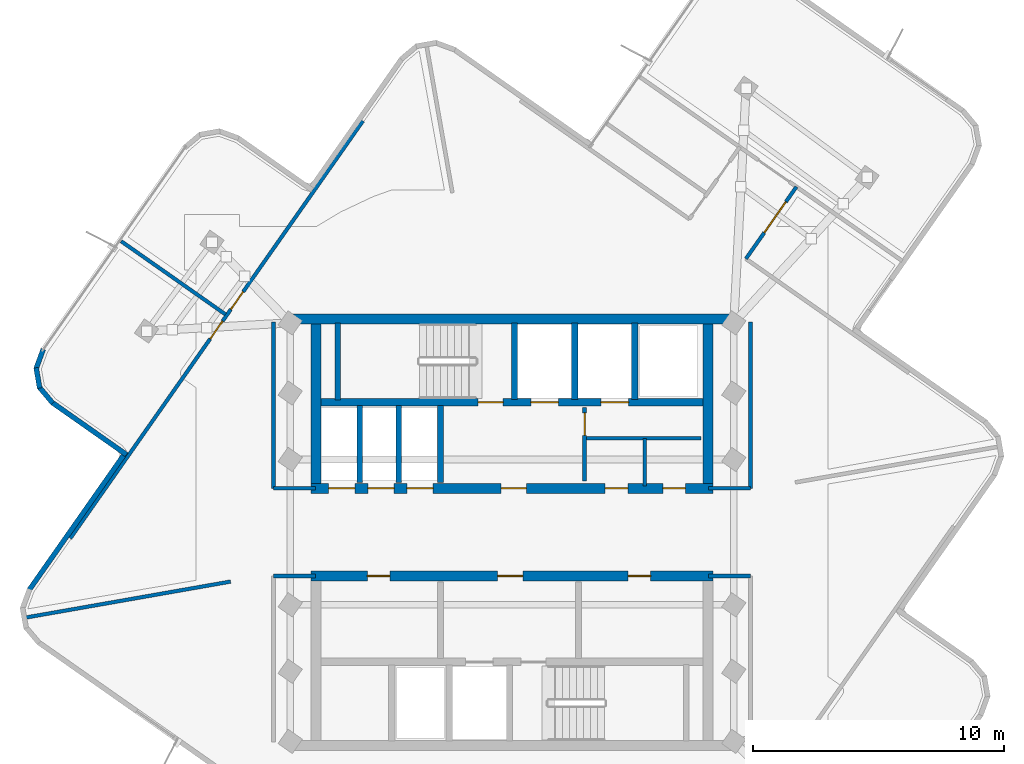
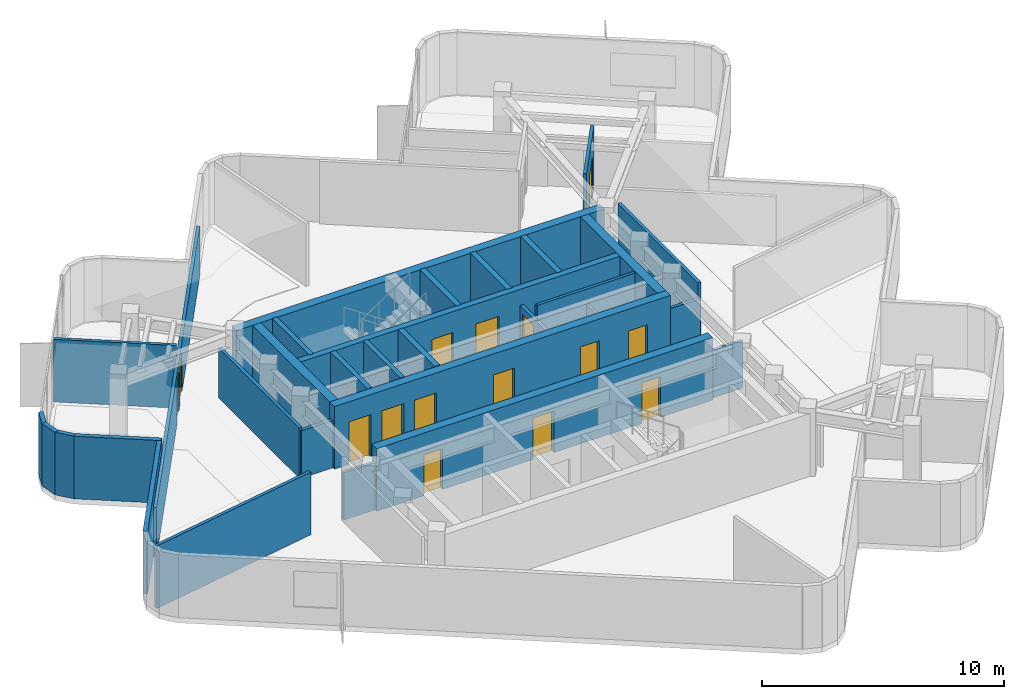
# One storey, part 6 of 9: 31 walls, 16 doors, 16 openings.
"""IFC4 building model written with IfcOpenShell, lengths in metres."""

from ifc_helpers import new_model, si_unit, direction, frame, frame_2d, origin, place, context, subcontext, project, spatial, rectangle, extrude, material, layer, layer_set, type_object, element, fill, save


model = new_model("IFC4")

# Units and contexts
model_context = context("Model", 3, precision=1e-05, world=origin(), true_north=direction((0.0, 1.0)))
body_context = subcontext(model_context, "Body", "Model", "MODEL_VIEW")
ifc_project = project(units=[si_unit("LENGTHUNIT", "METRE"), si_unit("AREAUNIT", "SQUARE_METRE"), si_unit("VOLUMEUNIT", "CUBIC_METRE"), si_unit("PLANEANGLEUNIT", "RADIAN"), si_unit("MASSUNIT", "GRAM", prefix="KILO")], contexts=[model_context])

# Site, building, storey
site_placement = place(None, origin())
site = spatial("IfcSite", under=ifc_project, at=site_placement, CompositionType="ELEMENT")
building_placement = place(site_placement, origin())
building = spatial("IfcBuilding", under=site, at=building_placement, Name="Solmarez Civic Tower", CompositionType="ELEMENT")
storey_placement = place(building_placement, frame((0.0, 0.0, 268.02001953125)))
storey = spatial("IfcBuildingStorey", under=building, at=storey_placement, Name="L72", CompositionType="ELEMENT", Elevation=268.02001953125)

# Wall
ifc_material_1 = material(Name="Concrete C50/60", Category="concrete")
ifc_layer_1 = layer(ifc_material_1, 0.39990234375)
ifc_layer_set_1 = layer_set([ifc_layer_1], Name="Concrete C50/60")
wall_type_1 = type_object("IfcWallType", Name="WALL-CORE-400", PredefinedType="SHEAR", material=ifc_layer_set_1)
wall_1_placement = place(storey_placement, frame((-8.780029296875, 8.510009765625, 0.0), z_axis=(0.0, 0.0, 1.0), x_axis=(1.0, 0.0, 0.0)))
element("IfcWall", 1, at=wall_1_placement, inside=storey, type_object=wall_type_1, Name="L72 Split-Core Structural Wall NCW-N-L72", PredefinedType="SHEAR", context=body_context, shape_type="SweptSolid", body=[
    extrude(rectangle(XDim=17.56005859375, YDim=0.39990234375, at=frame_2d((8.780029296875, 0.0))), origin(), (0.0, 0.0, 1.0), 3.159912109375),
])

# Wall, openings, doors
wall_2_placement = place(storey_placement, frame((8.02001953125, 1.75, 0.0), z_axis=(0.0, 0.0, 1.0), x_axis=(-1.0, 0.0, 0.0)))
wall_2 = element("IfcWall", 2, at=wall_2_placement, inside=storey, type_object=wall_type_1, Name="L72 Split-Core Structural Wall NCW-S-L72", PredefinedType="SHEAR", context=body_context, shape_type="SweptSolid", body=[
    extrude(rectangle(XDim=16.0400390625, YDim=0.39990234375, at=frame_2d((8.02001953125, 0.0))), origin(), (0.0, 0.0, 1.0), 3.159912109375),
])
opening_1_placement = place(wall_2_placement, frame((7.449951171875, 0.0, 0.0)))
opening_1 = element("IfcOpeningElement", 3, at=opening_1_placement, cuts=wall_2, Name="Opening D-04", PredefinedType="OPENING", context=body_context, shape_type="SweptSolid", body=[
    extrude(rectangle(XDim=1.0, YDim=2.10009765625, at=frame_2d((0.5, 1.050048828125))), frame((0.0, 0.2099609375, 0.0), z_axis=(0.0, -1.0, 0.0), x_axis=(1.0, 0.0, 0.0)), (0.0, 0.0, 1.0), 0.419921875),
])
opening_2_placement = place(wall_2_placement, frame((14.284912109375, 0.0, 0.0)))
opening_2 = element("IfcOpeningElement", 4, at=opening_2_placement, cuts=wall_2, Name="Opening LD-01", PredefinedType="OPENING", context=body_context, shape_type="SweptSolid", body=[
    extrude(rectangle(XDim=1.050048828125, YDim=2.14990234375, at=frame_2d((0.52490234375, 1.074951171875))), frame((0.0, 0.2099609375, 0.0), z_axis=(0.0, -1.0, 0.0), x_axis=(1.0, 0.0, 0.0)), (0.0, 0.0, 1.0), 0.419921875),
])
opening_3_placement = place(wall_2_placement, frame((12.72509765625, 0.0, 0.0)))
opening_3 = element("IfcOpeningElement", 5, at=opening_3_placement, cuts=wall_2, Name="Opening LD-01", PredefinedType="OPENING", context=body_context, shape_type="SweptSolid", body=[
    extrude(rectangle(XDim=1.050048828125, YDim=2.14990234375, at=frame_2d((0.52490234375, 1.074951171875))), frame((0.0, 0.2099609375, 0.0), z_axis=(0.0, -1.0, 0.0), x_axis=(1.0, 0.0, 0.0)), (0.0, 0.0, 1.0), 0.419921875),
])
opening_4_placement = place(wall_2_placement, frame((11.1650390625, 0.0, 0.0)))
opening_4 = element("IfcOpeningElement", 6, at=opening_4_placement, cuts=wall_2, Name="Opening LD-01", PredefinedType="OPENING", context=body_context, shape_type="SweptSolid", body=[
    extrude(rectangle(XDim=1.050048828125, YDim=2.14990234375, at=frame_2d((0.52490234375, 1.074951171875))), frame((0.0, 0.2099609375, 0.0), z_axis=(0.0, -1.0, 0.0), x_axis=(1.0, 0.0, 0.0)), (0.0, 0.0, 1.0), 0.419921875),
])
opening_5_placement = place(wall_2_placement, frame((3.39990234375, 0.0, 0.0)))
opening_5 = element("IfcOpeningElement", 7, at=opening_5_placement, cuts=wall_2, Name="Opening D-09", PredefinedType="OPENING", context=body_context, shape_type="SweptSolid", body=[
    extrude(rectangle(XDim=0.89990234375, YDim=2.06005859375, at=frame_2d((0.449951171875, 1.030029296875))), frame((0.0, 0.2099609375, 0.0), z_axis=(0.0, -1.0, 0.0), x_axis=(1.0, 0.0, 0.0)), (0.0, 0.0, 1.0), 0.419921875),
])
opening_6_placement = place(wall_2_placement, frame((1.10009765625, 0.0, 0.0)))
opening_6 = element("IfcOpeningElement", 8, at=opening_6_placement, cuts=wall_2, Name="Opening D-09", PredefinedType="OPENING", context=body_context, shape_type="SweptSolid", body=[
    extrude(rectangle(XDim=0.89990234375, YDim=2.06005859375, at=frame_2d((0.449951171875, 1.030029296875))), frame((0.0, 0.2099609375, 0.0), z_axis=(0.0, -1.0, 0.0), x_axis=(1.0, 0.0, 0.0)), (0.0, 0.0, 1.0), 0.419921875),
])
ifc_material_2 = material(Name="Steel-Faced Acoustic Fire Door", Category="steel")
door_type_1 = type_object("IfcDoorType", Name="DOOR-FD60-1000", OperationType="NOTDEFINED", PredefinedType="DOOR", material=ifc_material_2)
door_1_placement = place(opening_1_placement, origin())
door_1 = element("IfcDoor", 9, at=door_1_placement, inside=storey, type_object=door_type_1, Name="L72 North Firefighting Lobby Door", OperationType="SINGLE_SWING_LEFT", OverallHeight=2.10009765625, OverallWidth=1.0, PredefinedType="DOOR", context=body_context, shape_type="SweptSolid", body=[
    extrude(rectangle(XDim=1.0, YDim=2.10009765625, at=frame_2d((0.5, 1.050048828125))), frame((0.0, 0.02490234375, 0.0), z_axis=(0.0, -1.0, 0.0), x_axis=(1.0, 0.0, 0.0)), (0.0, 0.0, 1.0), 0.050048828125),
])
fill(opening_1, door_1)
ifc_material_3 = material(Name="Fire-Rated Service Core Door", Category="wood")
door_type_2 = type_object("IfcDoorType", Name="DOOR-FD60-900", OperationType="NOTDEFINED", PredefinedType="DOOR", material=ifc_material_3)
door_2_placement = place(opening_5_placement, origin())
door_2 = element("IfcDoor", 10, at=door_2_placement, inside=storey, type_object=door_type_2, Name="L72 Core WC Door", OperationType="SINGLE_SWING_LEFT", OverallHeight=2.06005859375, OverallWidth=0.89990234375, PredefinedType="DOOR", context=body_context, shape_type="SweptSolid", body=[
    extrude(rectangle(XDim=0.89990234375, YDim=2.06005859375, at=frame_2d((0.449951171875, 1.030029296875))), frame((0.0, 0.02490234375, 0.0), z_axis=(0.0, -1.0, 0.0), x_axis=(1.0, 0.0, 0.0)), (0.0, 0.0, 1.0), 0.050048828125),
])
fill(opening_5, door_2)
door_3_placement = place(opening_6_placement, origin())
door_3 = element("IfcDoor", 11, at=door_3_placement, inside=storey, type_object=door_type_2, Name="L72 Core CL Door", OperationType="SINGLE_SWING_RIGHT", OverallHeight=2.06005859375, OverallWidth=0.89990234375, PredefinedType="DOOR", context=body_context, shape_type="SweptSolid", body=[
    extrude(rectangle(XDim=0.89990234375, YDim=2.06005859375, at=frame_2d((0.449951171875, 1.030029296875))), frame((0.0, 0.02490234375, 0.0), z_axis=(0.0, -1.0, 0.0), x_axis=(1.0, 0.0, 0.0)), (0.0, 0.0, 1.0), 0.050048828125),
])
fill(opening_6, door_3)
ifc_material_4 = material(Name="Bronze Passenger Lift Landing Sliding Door", Category="aluminium")
door_type_3 = type_object("IfcDoorType", Name="DOOR-LD-PAX-1050", OperationType="DOUBLE_DOOR_SLIDING", PredefinedType="DOOR", material=ifc_material_4)
door_4_placement = place(opening_2_placement, origin())
door_4 = element("IfcDoor", 12, at=door_4_placement, inside=storey, type_object=door_type_3, Name="L72 High-Rise Lift Landing Door PL-H1", OperationType="DOUBLE_DOOR_SLIDING", OverallHeight=2.14990234375, OverallWidth=1.050048828125, PredefinedType="DOOR", context=body_context, shape_type="SweptSolid", body=[
    extrude(rectangle(XDim=1.050048828125, YDim=2.14990234375, at=frame_2d((0.52490234375, 1.074951171875))), frame((0.0, 0.02490234375, 0.0), z_axis=(0.0, -1.0, 0.0), x_axis=(1.0, 0.0, 0.0)), (0.0, 0.0, 1.0), 0.050048828125),
])
fill(opening_2, door_4)
door_5_placement = place(opening_3_placement, origin())
door_5 = element("IfcDoor", 13, at=door_5_placement, inside=storey, type_object=door_type_3, Name="L72 High-Rise Lift Landing Door PL-H2", OperationType="DOUBLE_DOOR_SLIDING", OverallHeight=2.14990234375, OverallWidth=1.050048828125, PredefinedType="DOOR", context=body_context, shape_type="SweptSolid", body=[
    extrude(rectangle(XDim=1.050048828125, YDim=2.14990234375, at=frame_2d((0.52490234375, 1.074951171875))), frame((0.0, 0.02490234375, 0.0), z_axis=(0.0, -1.0, 0.0), x_axis=(1.0, 0.0, 0.0)), (0.0, 0.0, 1.0), 0.050048828125),
])
fill(opening_3, door_5)
door_6_placement = place(opening_4_placement, origin())
door_6 = element("IfcDoor", 14, at=door_6_placement, inside=storey, type_object=door_type_3, Name="L72 High-Rise Lift Landing Door PL-H3", OperationType="DOUBLE_DOOR_SLIDING", OverallHeight=2.14990234375, OverallWidth=1.050048828125, PredefinedType="DOOR", context=body_context, shape_type="SweptSolid", body=[
    extrude(rectangle(XDim=1.050048828125, YDim=2.14990234375, at=frame_2d((0.52490234375, 1.074951171875))), frame((0.0, 0.02490234375, 0.0), z_axis=(0.0, -1.0, 0.0), x_axis=(1.0, 0.0, 0.0)), (0.0, 0.0, 1.0), 0.050048828125),
])
fill(opening_4, door_6)

# Walls
for number, where, z_axis, x_axis, name in (
    (15, (-7.820068359375, 1.949951171875, 0.0), (0.0, 0.0, 1.0), (0.0, 1.0, 0.0), "L72 Split-Core Structural Wall NCW-W-L72"),
    (16, (7.820068359375, 8.31005859375, 0.0), (0.0, 0.0, 1.0), (0.0, -1.0, 0.0), "L72 Split-Core Structural Wall NCW-E-L72"),
):
    element("IfcWall", number, at=place(storey_placement, frame(where, z_axis=z_axis, x_axis=x_axis)), inside=storey, type_object=wall_type_1, Name=name, PredefinedType="SHEAR", context=body_context, shape_type="SweptSolid", body=[
        extrude(rectangle(XDim=6.360107421875, YDim=0.39990234375, at=frame_2d((3.18017578125, 0.0))), origin(), (0.0, 0.0, 1.0), 3.159912109375),
    ])

# Wall, openings, doors
wall_3_placement = place(storey_placement, frame((-8.02001953125, -1.75, 0.0), z_axis=(0.0, 0.0, 1.0), x_axis=(1.0, 0.0, 0.0)))
wall_3 = element("IfcWall", 17, at=wall_3_placement, inside=storey, type_object=wall_type_1, Name="L72 Split-Core Structural Wall SCW-N-L72", PredefinedType="SHEAR", context=body_context, shape_type="SweptSolid", body=[
    extrude(rectangle(XDim=16.0400390625, YDim=0.39990234375, at=frame_2d((8.02001953125, 0.0))), origin(), (0.0, 0.0, 1.0), 3.159912109375),
])
opening_7_placement = place(wall_3_placement, frame((7.449951171875, 0.0, 0.0)))
opening_7 = element("IfcOpeningElement", 18, at=opening_7_placement, cuts=wall_3, Name="Opening D-04", PredefinedType="OPENING", context=body_context, shape_type="SweptSolid", body=[
    extrude(rectangle(XDim=1.0, YDim=2.10009765625, at=frame_2d((0.5, 1.050048828125))), frame((0.0, 0.2099609375, 0.0), z_axis=(0.0, -1.0, 0.0), x_axis=(1.0, 0.0, 0.0)), (0.0, 0.0, 1.0), 0.419921875),
])
opening_8_placement = place(wall_3_placement, frame((12.64990234375, 0.0, 0.0)))
opening_8 = element("IfcOpeningElement", 19, at=opening_8_placement, cuts=wall_3, Name="Opening D-09", PredefinedType="OPENING", context=body_context, shape_type="SweptSolid", body=[
    extrude(rectangle(XDim=0.89990234375, YDim=2.06005859375, at=frame_2d((0.449951171875, 1.030029296875))), frame((0.0, 0.2099609375, 0.0), z_axis=(0.0, -1.0, 0.0), x_axis=(1.0, 0.0, 0.0)), (0.0, 0.0, 1.0), 0.419921875),
])
opening_9_placement = place(wall_3_placement, frame((2.25, 0.0, 0.0)))
opening_9 = element("IfcOpeningElement", 20, at=opening_9_placement, cuts=wall_3, Name="Opening D-09", PredefinedType="OPENING", context=body_context, shape_type="SweptSolid", body=[
    extrude(rectangle(XDim=0.89990234375, YDim=2.06005859375, at=frame_2d((0.449951171875, 1.030029296875))), frame((0.0, 0.2099609375, 0.0), z_axis=(0.0, -1.0, 0.0), x_axis=(1.0, 0.0, 0.0)), (0.0, 0.0, 1.0), 0.419921875),
])
door_7_placement = place(opening_7_placement, origin())
door_7 = element("IfcDoor", 21, at=door_7_placement, inside=storey, type_object=door_type_1, Name="L72 South Firefighting Lobby Door", OperationType="SINGLE_SWING_RIGHT", OverallHeight=2.10009765625, OverallWidth=1.0, PredefinedType="DOOR", context=body_context, shape_type="SweptSolid", body=[
    extrude(rectangle(XDim=1.0, YDim=2.10009765625, at=frame_2d((0.5, 1.050048828125))), frame((0.0, 0.02490234375, 0.0), z_axis=(0.0, -1.0, 0.0), x_axis=(1.0, 0.0, 0.0)), (0.0, 0.0, 1.0), 0.050048828125),
])
fill(opening_7, door_7)
door_8_placement = place(opening_8_placement, origin())
door_8 = element("IfcDoor", 22, at=door_8_placement, inside=storey, type_object=door_type_2, Name="L72 Freed Hoistway Mailroom Door", OperationType="SINGLE_SWING_LEFT", OverallHeight=2.06005859375, OverallWidth=0.89990234375, PredefinedType="DOOR", context=body_context, shape_type="SweptSolid", body=[
    extrude(rectangle(XDim=0.89990234375, YDim=2.06005859375, at=frame_2d((0.449951171875, 1.030029296875))), frame((0.0, 0.02490234375, 0.0), z_axis=(0.0, -1.0, 0.0), x_axis=(1.0, 0.0, 0.0)), (0.0, 0.0, 1.0), 0.050048828125),
])
fill(opening_8, door_8)
door_9_placement = place(opening_9_placement, origin())
door_9 = element("IfcDoor", 23, at=door_9_placement, inside=storey, type_object=door_type_2, Name="L72 Delegation Tea Pantry Door", OperationType="SINGLE_SWING_RIGHT", OverallHeight=2.06005859375, OverallWidth=0.89990234375, PredefinedType="DOOR", context=body_context, shape_type="SweptSolid", body=[
    extrude(rectangle(XDim=0.89990234375, YDim=2.06005859375, at=frame_2d((0.449951171875, 1.030029296875))), frame((0.0, 0.02490234375, 0.0), z_axis=(0.0, -1.0, 0.0), x_axis=(1.0, 0.0, 0.0)), (0.0, 0.0, 1.0), 0.050048828125),
])
fill(opening_9, door_9)

# Walls
ifc_material_5 = material(Name="Precast concrete C40/50", Category="concrete")
ifc_layer_2 = layer(ifc_material_5, 0.199951171875)
ifc_layer_set_2 = layer_set([ifc_layer_2], Name="Precast concrete C40/50")
wall_type_2 = type_object("IfcWallType", Name="WALL-EXT-200", PredefinedType="SOLIDWALL", material=ifc_layer_set_2)
wall_4_placement = place(storey_placement, frame((-19.27294921875, -2.31591796875, 0.0), z_axis=(0.0, 0.0, 1.0), x_axis=(0.574227764949, 0.818695592978, 0.0)))
element("IfcWall", 24, at=wall_4_placement, inside=storey, type_object=wall_type_2, Name="L72 Exterior Precast Wall 10", PredefinedType="SOLIDWALL", context=body_context, shape_type="SweptSolid", body=[
    extrude(rectangle(XDim=6.740966796875, YDim=0.199951171875, at=frame_2d((3.37060546875, 0.0))), origin(), (0.0, 0.0, 1.0), 3.159912109375),
])
wall_5_placement = place(storey_placement, frame((-15.383056640625, 3.092041015625, 0.0), z_axis=(0.0, 0.0, 1.0), x_axis=(-0.818664531158, 0.574272048269, 0.0)))
element("IfcWall", 25, at=wall_5_placement, inside=storey, type_object=wall_type_2, Name="L72 Exterior Precast Wall 13", PredefinedType="SOLIDWALL", context=body_context, shape_type="SweptSolid", body=[
    extrude(rectangle(XDim=3.641357421875, YDim=0.199951171875, at=frame_2d((1.82080078125, 0.0))), origin(), (0.0, 0.0, 1.0), 3.159912109375),
])
wall_6_placement = place(storey_placement, frame((-18.327880859375, 5.14990234375, 0.0), z_axis=(0.0, 0.0, 1.0), x_axis=(-0.642303159159, 0.766450684477, 0.0)))
element("IfcWall", 26, at=wall_6_placement, inside=storey, type_object=wall_type_2, Name="L72 Exterior Precast Wall 14", PredefinedType="SOLIDWALL", context=body_context, shape_type="SweptSolid", body=[
    extrude(rectangle(XDim=0.837646484375, YDim=0.199951171875, at=frame_2d((0.4189453125, 0.0))), origin(), (0.0, 0.0, 1.0), 3.159912109375),
])
wall_7_placement = place(storey_placement, frame((-18.845947265625, 5.748046875, 0.0), z_axis=(0.0, 0.0, 1.0), x_axis=(-0.172165058078, 0.985068115806, 0.0)))
element("IfcWall", 27, at=wall_7_placement, inside=storey, type_object=wall_type_2, Name="L72 Exterior Precast Wall 15", PredefinedType="SOLIDWALL", context=body_context, shape_type="SweptSolid", body=[
    extrude(rectangle(XDim=0.8251953125, YDim=0.199951171875, at=frame_2d((0.41259765625, 0.0))), origin(), (0.0, 0.0, 1.0), 3.159912109375),
])
wall_8_placement = place(storey_placement, frame((-18.992919921875, 6.512939453125, 0.0), z_axis=(0.0, 0.0, 1.0), x_axis=(0.343449935769, 0.93917098636, 0.0)))
element("IfcWall", 28, at=wall_8_placement, inside=storey, type_object=wall_type_2, Name="L72 Exterior Precast Wall 16", PredefinedType="SOLIDWALL", context=body_context, shape_type="SweptSolid", body=[
    extrude(rectangle(XDim=0.838134765625, YDim=0.199951171875, at=frame_2d((0.4189453125, 0.0))), origin(), (0.0, 0.0, 1.0), 3.159912109375),
])
ifc_material_6 = material(Name="Gypsum Board Acoustic Steel-Stud Partition", Category="steel")
ifc_layer_3 = layer(ifc_material_6, 0.14990234375)
ifc_layer_set_3 = layer_set([ifc_layer_3], Name="Gypsum Board Acoustic Steel-Stud Partition")
wall_type_3 = type_object("IfcWallType", Name="WALL-INT-FIRE-150", PredefinedType="PARTITIONING", material=ifc_layer_set_3)
wall_9_placement = place(storey_placement, frame((-9.52001953125, 1.75, 0.0), z_axis=(0.0, 0.0, 1.0), x_axis=(0.0, 1.0, 0.0)))
element("IfcWall", 29, at=wall_9_placement, inside=storey, type_object=wall_type_3, Name="L72 Interior Partition CHW-L72-WN1", PredefinedType="PARTITIONING", context=body_context, shape_type="SweptSolid", body=[
    extrude(rectangle(XDim=6.6298828125, YDim=0.14990234375, at=frame_2d((3.31494140625, 0.0))), origin(), (0.0, 0.0, 1.0), 2.530029296875),
])
for number, where, z_axis, x_axis, name in (
    (30, (-7.85009765625, 1.75, 0.0), (0.0, 0.0, 1.0), (-1.0, 0.0, 0.0), "L72 Interior Partition CHW-L72-WN3"),
    (31, (-7.85009765625, -1.75, 0.0), (0.0, 0.0, 1.0), (-1.0, 0.0, 0.0), "L72 Interior Partition CHW-L72-WS3"),
):
    element("IfcWall", number, at=place(storey_placement, frame(where, z_axis=z_axis, x_axis=x_axis)), inside=storey, type_object=wall_type_3, Name=name, PredefinedType="PARTITIONING", context=body_context, shape_type="SweptSolid", body=[
        extrude(rectangle(XDim=1.669921875, YDim=0.14990234375, at=frame_2d((0.8349609375, 0.0))), origin(), (0.0, 0.0, 1.0), 2.389892578125),
    ])
wall_10_placement = place(storey_placement, frame((9.52001953125, 1.75, 0.0), z_axis=(0.0, 0.0, 1.0), x_axis=(0.0, 1.0, 0.0)))
element("IfcWall", 32, at=wall_10_placement, inside=storey, type_object=wall_type_3, Name="L72 Interior Partition CHW-L72-EN1", PredefinedType="PARTITIONING", context=body_context, shape_type="SweptSolid", body=[
    extrude(rectangle(XDim=6.6298828125, YDim=0.14990234375, at=frame_2d((3.31494140625, 0.0))), origin(), (0.0, 0.0, 1.0), 3.159912109375),
])
for number, where, z_axis, x_axis, name in (
    (33, (7.85009765625, 1.75, 0.0), (0.0, 0.0, 1.0), (1.0, 0.0, 0.0), "L72 Interior Partition CHW-L72-EN3"),
    (34, (7.85009765625, -1.75, 0.0), (0.0, 0.0, 1.0), (1.0, 0.0, 0.0), "L72 Interior Partition CHW-L72-ES3"),
):
    element("IfcWall", number, at=place(storey_placement, frame(where, z_axis=z_axis, x_axis=x_axis)), inside=storey, type_object=wall_type_3, Name=name, PredefinedType="PARTITIONING", context=body_context, shape_type="SweptSolid", body=[
        extrude(rectangle(XDim=1.669921875, YDim=0.14990234375, at=frame_2d((0.8349609375, 0.0))), origin(), (0.0, 0.0, 1.0), 2.389892578125),
    ])
ifc_layer_4 = layer(ifc_material_6, 0.14501953125)
ifc_layer_set_4 = layer_set([ifc_layer_4], Name="Gypsum Board Acoustic Steel-Stud Partition")
wall_type_4 = type_object("IfcWallType", Name="WALL-INT-PART-150", PredefinedType="PARTITIONING", material=ifc_layer_set_4)
wall_11_placement = place(storey_placement, frame((-11.22802734375, -1.971923828125, 0.0), z_axis=(0.0, 0.0, 1.0), x_axis=(-0.984921322849, -0.17300285488, 0.0)))
element("IfcWall", 35, at=wall_11_placement, inside=storey, type_object=wall_type_4, Name="L72 Interior Partition PT-L72-QDIV-2", PredefinedType="PARTITIONING", context=body_context, shape_type="SweptSolid", body=[
    extrude(rectangle(XDim=8.294921875, YDim=0.14501953125, at=frame_2d((4.1474609375, 0.0))), origin(), (0.0, 0.0, 1.0), 3.159912109375),
])

# Wall, opening, door
wall_12_placement = place(storey_placement, frame((9.333984375, 10.907958984375, 0.0), z_axis=(0.0, 0.0, 1.0), x_axis=(0.574414301793, 0.818564725539, 0.0)))
wall_12 = element("IfcWall", 36, at=wall_12_placement, inside=storey, type_object=wall_type_4, Name="L72 Interior Partition PT-L72-E-SR", PredefinedType="PARTITIONING", context=body_context, shape_type="SweptSolid", body=[
    extrude(rectangle(XDim=3.509765625, YDim=0.14501953125, at=frame_2d((1.7548828125, 0.0))), origin(), (0.0, 0.0, 1.0), 3.159912109375),
])
opening_10_placement = place(wall_12_placement, frame((1.27490234375, 0.0, 0.0)))
opening_10 = element("IfcOpeningElement", 37, at=opening_10_placement, cuts=wall_12, Name="Opening D-16", PredefinedType="OPENING", context=body_context, shape_type="SweptSolid", body=[
    extrude(rectangle(XDim=1.5, YDim=2.1201171875, at=frame_2d((0.75, 1.06005859375))), frame((0.0, 0.08251953125, 0.0), z_axis=(0.0, -1.0, 0.0), x_axis=(1.0, 0.0, 0.0)), (0.0, 0.0, 1.0), 0.1650390625),
])
ifc_material_7 = material(Name="Diplomatic Protocol Reception Door", Category="wood")
door_type_4 = type_object("IfcDoorType", Name="DOOR-INT-1500", OperationType="NOTDEFINED", PredefinedType="DOOR", material=ifc_material_7)
door_10_placement = place(opening_10_placement, origin())
door_10 = element("IfcDoor", 38, at=door_10_placement, inside=storey, type_object=door_type_4, Name="L72 Protocol Reception Room Third East Door", OperationType="SINGLE_SWING_RIGHT", OverallHeight=2.1201171875, OverallWidth=1.5, PredefinedType="DOOR", context=body_context, shape_type="SweptSolid", body=[
    extrude(rectangle(XDim=1.5, YDim=2.1201171875, at=frame_2d((0.75, 1.06005859375))), frame((0.0, 0.02490234375, 0.0), z_axis=(0.0, -1.0, 0.0), x_axis=(1.0, 0.0, 0.0)), (0.0, 0.0, 1.0), 0.050048828125),
])
fill(opening_10, door_10)

# Wall
wall_13_placement = place(storey_placement, frame((-11.43310546875, 8.68896484375, 0.0), z_axis=(0.0, 0.0, 1.0), x_axis=(-0.81868341552, 0.574245126363, 0.0)))
element("IfcWall", 39, at=wall_13_placement, inside=storey, type_object=wall_type_4, Name="L72 Interior Partition PT-L72-N-ALM", PredefinedType="PARTITIONING", context=body_context, shape_type="SweptSolid", body=[
    extrude(rectangle(XDim=5.084716796875, YDim=0.14501953125, at=frame_2d((2.54248046875, 0.0))), origin(), (0.0, 0.0, 1.0), 3.159912109375),
])

# Wall, openings, doors
wall_14_placement = place(storey_placement, frame((-17.625, -0.2451171875, 0.0), z_axis=(0.0, 0.0, 1.0), x_axis=(0.574126736534, 0.818766444352, 0.0)))
wall_14 = element("IfcWall", 40, at=wall_14_placement, inside=storey, type_object=wall_type_4, Name="L72 Interior Partition PT-L72-N-ENT", PredefinedType="PARTITIONING", context=body_context, shape_type="SweptSolid", body=[
    extrude(rectangle(XDim=20.34033203125, YDim=0.14501953125, at=frame_2d((10.170166015625, 0.0))), origin(), (0.0, 0.0, 1.0), 2.530029296875),
])
opening_11_placement = place(wall_14_placement, frame((11.159912109375, 0.0, 0.0)))
opening_11 = element("IfcOpeningElement", 41, at=opening_11_placement, cuts=wall_14, Name="Opening D-14", PredefinedType="OPENING", context=body_context, shape_type="SweptSolid", body=[
    extrude(rectangle(XDim=0.860107421875, YDim=2.0400390625, at=frame_2d((0.43017578125, 1.02001953125))), frame((0.0, 0.08251953125, 0.0), z_axis=(0.0, -1.0, 0.0), x_axis=(1.0, 0.0, 0.0)), (0.0, 0.0, 1.0), 0.1650390625),
])
opening_12_placement = place(wall_14_placement, frame((9.719970703125, 0.0, 0.0)))
opening_12 = element("IfcOpeningElement", 42, at=opening_12_placement, cuts=wall_14, Name="Opening D-14", PredefinedType="OPENING", context=body_context, shape_type="SweptSolid", body=[
    extrude(rectangle(XDim=0.860107421875, YDim=2.0400390625, at=frame_2d((0.43017578125, 1.02001953125))), frame((0.0, 0.08251953125, 0.0), z_axis=(0.0, -1.0, 0.0), x_axis=(1.0, 0.0, 0.0)), (0.0, 0.0, 1.0), 0.1650390625),
])
ifc_material_8 = material(Name="Timber Storage and Pantry Door", Category="wood")
door_type_5 = type_object("IfcDoorType", Name="DOOR-INT-850", OperationType="NOTDEFINED", PredefinedType="DOOR", material=ifc_material_8)
door_11_placement = place(opening_11_placement, origin())
door_11 = element("IfcDoor", 43, at=door_11_placement, inside=storey, type_object=door_type_5, Name="L72 Protocol Reception Room Second North Door", OperationType="SINGLE_SWING_RIGHT", OverallHeight=2.0400390625, OverallWidth=0.860107421875, PredefinedType="DOOR", context=body_context, shape_type="SweptSolid", body=[
    extrude(rectangle(XDim=0.860107421875, YDim=2.0400390625, at=frame_2d((0.43017578125, 1.02001953125))), frame((0.0, 0.02490234375, 0.0), z_axis=(0.0, -1.0, 0.0), x_axis=(1.0, 0.0, 0.0)), (0.0, 0.0, 1.0), 0.050048828125),
])
fill(opening_11, door_11)
door_12_placement = place(opening_12_placement, origin())
door_12 = element("IfcDoor", 44, at=door_12_placement, inside=storey, type_object=door_type_5, Name="L72 Diplomatic Sitting Lounge First North Door", OperationType="SINGLE_SWING_LEFT", OverallHeight=2.0400390625, OverallWidth=0.860107421875, PredefinedType="DOOR", context=body_context, shape_type="SweptSolid", body=[
    extrude(rectangle(XDim=0.860107421875, YDim=2.0400390625, at=frame_2d((0.43017578125, 1.02001953125))), frame((0.0, 0.02490234375, 0.0), z_axis=(0.0, -1.0, 0.0), x_axis=(1.0, 0.0, 0.0)), (0.0, 0.0, 1.0), 0.050048828125),
])
fill(opening_12, door_12)

# Wall, opening, door
ifc_layer_5 = layer(ifc_material_6, 0.159912109375)
ifc_layer_set_5 = layer_set([ifc_layer_5], Name="Gypsum Board Acoustic Steel-Stud Partition")
wall_type_5 = type_object("IfcWallType", Name="WALL-INT-SHAFT-160", PredefinedType="PARTITIONING", material=ifc_layer_set_5)
wall_15_placement = place(storey_placement, frame((2.89990234375, 2.0400390625, 0.0), z_axis=(0.0, 0.0, 1.0), x_axis=(0.0, 1.0, 0.0)))
wall_15 = element("IfcWall", 45, at=wall_15_placement, inside=storey, type_object=wall_type_5, Name="L72 Interior Partition SHW-NL2-L72", PredefinedType="PARTITIONING", context=body_context, shape_type="SweptSolid", body=[
    extrude(rectangle(XDim=2.93994140625, YDim=0.159912109375, at=frame_2d((1.469970703125, 0.0))), origin(), (0.0, 0.0, 1.0), 2.389892578125),
])
opening_13_placement = place(wall_15_placement, frame((1.820068359375, 0.0, 0.0)))
opening_13 = element("IfcOpeningElement", 46, at=opening_13_placement, cuts=wall_15, Name="Opening D-09", PredefinedType="OPENING", context=body_context, shape_type="SweptSolid", body=[
    extrude(rectangle(XDim=0.89990234375, YDim=2.06005859375, at=frame_2d((0.449951171875, 1.030029296875))), frame((0.0, 0.08984375, 0.0), z_axis=(0.0, -1.0, 0.0), x_axis=(1.0, 0.0, 0.0)), (0.0, 0.0, 1.0), 0.179931640625),
])
door_13_placement = place(opening_13_placement, origin())
door_13 = element("IfcDoor", 47, at=door_13_placement, inside=storey, type_object=door_type_2, Name="L72 Service Lift Lobby Door", OperationType="SINGLE_SWING_LEFT", OverallHeight=2.06005859375, OverallWidth=0.89990234375, PredefinedType="DOOR", context=body_context, shape_type="SweptSolid", body=[
    extrude(rectangle(XDim=0.89990234375, YDim=2.06005859375, at=frame_2d((0.449951171875, 1.030029296875))), frame((0.0, 0.02490234375, 0.0), z_axis=(0.0, -1.0, 0.0), x_axis=(1.0, 0.0, 0.0)), (0.0, 0.0, 1.0), 0.050048828125),
])
fill(opening_13, door_13)

# Walls
ifc_layer_6 = layer(ifc_material_6, 0.137939453125)
ifc_layer_set_6 = layer_set([ifc_layer_6], Name="Gypsum Board Acoustic Steel-Stud Partition")
wall_type_6 = type_object("IfcWallType", Name="WALL-INT-WET-140", PredefinedType="PARTITIONING", material=ifc_layer_set_6)
wall_16_placement = place(storey_placement, frame((2.89990234375, 3.739990234375, 0.0), z_axis=(0.0, 0.0, 1.0), x_axis=(1.0, 0.0, 0.0)))
element("IfcWall", 48, at=wall_16_placement, inside=storey, type_object=wall_type_6, Name="L72 Interior Partition SHW-SVH-L72", PredefinedType="PARTITIONING", context=body_context, shape_type="SweptSolid", body=[
    extrude(rectangle(XDim=4.650146484375, YDim=0.137939453125, at=frame_2d((2.3251953125, 0.0))), origin(), (0.0, 0.0, 1.0), 3.159912109375),
])
wall_17_placement = place(storey_placement, frame((5.300048828125, 1.85009765625, 0.0), z_axis=(0.0, 0.0, 1.0), x_axis=(0.0, 1.0, 0.0)))
element("IfcWall", 49, at=wall_17_placement, inside=storey, type_object=wall_type_6, Name="L72 Interior Partition PT-NCSV-L72", PredefinedType="PARTITIONING", context=body_context, shape_type="SweptSolid", body=[
    extrude(rectangle(XDim=1.889892578125, YDim=0.137939453125, at=frame_2d((0.94482421875, 0.0))), origin(), (0.0, 0.0, 1.0), 2.389892578125),
])

# Wall, openings, doors
ifc_layer_7 = layer(ifc_material_1, 0.300048828125)
ifc_layer_set_7 = layer_set([ifc_layer_7], Name="Concrete C50/60")
wall_type_7 = type_object("IfcWallType", Name="WALL-STR-300", PredefinedType="SOLIDWALL", material=ifc_layer_set_7)
wall_18_placement = place(storey_placement, frame((7.6201171875, 5.179931640625, 0.0), z_axis=(0.0, 0.0, 1.0), x_axis=(-1.0, 0.0, 0.0)))
wall_18 = element("IfcWall", 50, at=wall_18_placement, inside=storey, type_object=wall_type_7, Name="L72 Split-Core Structural Wall NCW-M-L72", PredefinedType="SOLIDWALL", context=body_context, shape_type="SweptSolid", body=[
    extrude(rectangle(XDim=15.240234375, YDim=0.300048828125, at=frame_2d((7.6201171875, 0.0))), origin(), (0.0, 0.0, 1.0), 3.159912109375),
])
opening_14_placement = place(wall_18_placement, frame((5.77001953125, 0.0, 0.0)))
opening_14 = element("IfcOpeningElement", 51, at=opening_14_placement, cuts=wall_18, Name="Opening LD-02", PredefinedType="OPENING", context=body_context, shape_type="SweptSolid", body=[
    extrude(rectangle(XDim=1.10009765625, YDim=2.14990234375, at=frame_2d((0.550048828125, 1.074951171875))), frame((0.0, 0.159912109375, 0.0), z_axis=(0.0, -1.0, 0.0), x_axis=(1.0, 0.0, 0.0)), (0.0, 0.0, 1.0), 0.320068359375),
])
opening_15_placement = place(wall_18_placement, frame((2.969970703125, 0.0, 0.0)))
opening_15 = element("IfcOpeningElement", 52, at=opening_15_placement, cuts=wall_18, Name="Opening LD-03", PredefinedType="OPENING", context=body_context, shape_type="SweptSolid", body=[
    extrude(rectangle(XDim=1.10009765625, YDim=2.14990234375, at=frame_2d((0.550048828125, 1.074951171875))), frame((0.0, 0.159912109375, 0.0), z_axis=(0.0, -1.0, 0.0), x_axis=(1.0, 0.0, 0.0)), (0.0, 0.0, 1.0), 0.320068359375),
])
opening_16_placement = place(wall_18_placement, frame((7.969970703125, 0.0, 0.0)))
opening_16 = element("IfcOpeningElement", 53, at=opening_16_placement, cuts=wall_18, Name="Opening D-05", PredefinedType="OPENING", context=body_context, shape_type="SweptSolid", body=[
    extrude(rectangle(XDim=1.0, YDim=2.10009765625, at=frame_2d((0.5, 1.050048828125))), frame((0.0, 0.159912109375, 0.0), z_axis=(0.0, -1.0, 0.0), x_axis=(1.0, 0.0, 0.0)), (0.0, 0.0, 1.0), 0.320068359375),
])
ifc_material_9 = material(Name="Fire-Rated Stairwell Exit Door", Category="wood")
door_type_6 = type_object("IfcDoorType", Name="DOOR-FD90-1000", OperationType="NOTDEFINED", PredefinedType="DOOR", material=ifc_material_9)
door_14_placement = place(opening_16_placement, origin())
door_14 = element("IfcDoor", 54, at=door_14_placement, inside=storey, type_object=door_type_6, Name="L72 North Exit Stair Door ST-1", OperationType="SINGLE_SWING_LEFT", OverallHeight=2.10009765625, OverallWidth=1.0, PredefinedType="DOOR", context=body_context, shape_type="SweptSolid", body=[
    extrude(rectangle(XDim=1.0, YDim=2.10009765625, at=frame_2d((0.5, 1.050048828125))), frame((0.0, 0.02490234375, 0.0), z_axis=(0.0, -1.0, 0.0), x_axis=(1.0, 0.0, 0.0)), (0.0, 0.0, 1.0), 0.050048828125),
])
fill(opening_16, door_14)
ifc_material_10 = material(Name="Stainless Firefighting Lift Landing Sliding Door", Category="aluminium")
door_type_7 = type_object("IfcDoorType", Name="DOOR-LD-FF-1100", OperationType="DOUBLE_DOOR_SLIDING", PredefinedType="DOOR", material=ifc_material_10)
door_15_placement = place(opening_14_placement, origin())
door_15 = element("IfcDoor", 55, at=door_15_placement, inside=storey, type_object=door_type_7, Name="L72 Firefighting Lift Landing Door FFL-1", OperationType="DOUBLE_DOOR_SLIDING", OverallHeight=2.14990234375, OverallWidth=1.10009765625, PredefinedType="DOOR", context=body_context, shape_type="SweptSolid", body=[
    extrude(rectangle(XDim=1.10009765625, YDim=2.14990234375, at=frame_2d((0.550048828125, 1.074951171875))), frame((0.0, 0.02490234375, 0.0), z_axis=(0.0, -1.0, 0.0), x_axis=(1.0, 0.0, 0.0)), (0.0, 0.0, 1.0), 0.050048828125),
])
fill(opening_14, door_15)
ifc_material_11 = material(Name="Stainless Stretcher Lift Landing Sliding Door", Category="aluminium")
door_type_8 = type_object("IfcDoorType", Name="DOOR-LD-SV-1100", OperationType="DOUBLE_DOOR_SLIDING", PredefinedType="DOOR", material=ifc_material_11)
door_16_placement = place(opening_15_placement, origin())
door_16 = element("IfcDoor", 56, at=door_16_placement, inside=storey, type_object=door_type_8, Name="L72 Service Stretcher Lift Landing Door SVL-1", OperationType="DOUBLE_DOOR_SLIDING", OverallHeight=2.14990234375, OverallWidth=1.10009765625, PredefinedType="DOOR", context=body_context, shape_type="SweptSolid", body=[
    extrude(rectangle(XDim=1.10009765625, YDim=2.14990234375, at=frame_2d((0.550048828125, 1.074951171875))), frame((0.0, 0.02490234375, 0.0), z_axis=(0.0, -1.0, 0.0), x_axis=(1.0, 0.0, 0.0)), (0.0, 0.0, 1.0), 0.050048828125),
])
fill(opening_15, door_16)

# Walls
wall_19_placement = place(storey_placement, frame((-6.949951171875, 5.280029296875, 0.0), z_axis=(0.0, 0.0, 1.0), x_axis=(0.0, 1.0, 0.0)))
element("IfcWall", 57, at=wall_19_placement, inside=storey, type_object=wall_type_7, Name="L72 Split-Core Structural Wall SHW-NW-L72", PredefinedType="SOLIDWALL", context=body_context, shape_type="SweptSolid", body=[
    extrude(rectangle(XDim=3.06005859375, YDim=0.219970703125, at=frame_2d((1.530029296875, 0.0))), origin(), (0.0, 0.0, 1.0), 3.159912109375),
])
for number, where, z_axis, x_axis, name in (
    (58, (0.10009765625, 5.300048828125, 0.0), (0.0, 0.0, 1.0), (0.0, 1.0, 0.0), "L72 Split-Core Structural Wall SHW-N1-L72"),
    (59, (2.5, 5.300048828125, 0.0), (0.0, 0.0, 1.0), (0.0, 1.0, 0.0), "L72 Split-Core Structural Wall SHW-N2-L72"),
    (60, (4.89990234375, 5.300048828125, 0.0), (0.0, 0.0, 1.0), (0.0, 1.0, 0.0), "L72 Split-Core Structural Wall SHW-N3-L72"),
):
    element("IfcWall", number, at=place(storey_placement, frame(where, z_axis=z_axis, x_axis=x_axis)), inside=storey, type_object=wall_type_7, Name=name, PredefinedType="SOLIDWALL", context=body_context, shape_type="SweptSolid", body=[
        extrude(rectangle(XDim=3.0400390625, YDim=0.25, at=frame_2d((1.52001953125, 0.0))), origin(), (0.0, 0.0, 1.0), 3.159912109375),
    ])
wall_20_placement = place(storey_placement, frame((-2.85009765625, 1.97998046875, 0.0), z_axis=(0.0, 0.0, 1.0), x_axis=(0.0, 1.0, 0.0)))
element("IfcWall", 61, at=wall_20_placement, inside=storey, type_object=wall_type_7, Name="L72 Split-Core Structural Wall SHW-NL1-L72", PredefinedType="SOLIDWALL", context=body_context, shape_type="SweptSolid", body=[
    extrude(rectangle(XDim=3.070068359375, YDim=0.25, at=frame_2d((1.53515625, 0.0))), origin(), (0.0, 0.0, 1.0), 3.159912109375),
])
for number, where, z_axis, x_axis, name in (
    (62, (-6.080078125, 1.97998046875, 0.0), (0.0, 0.0, 1.0), (0.0, 1.0, 0.0), "L72 Split-Core Structural Wall SHW-PLH-L72-1"),
    (63, (-4.52001953125, 1.97998046875, 0.0), (0.0, 0.0, 1.0), (0.0, 1.0, 0.0), "L72 Split-Core Structural Wall SHW-PLH-L72-2"),
):
    element("IfcWall", number, at=place(storey_placement, frame(where, z_axis=z_axis, x_axis=x_axis)), inside=storey, type_object=wall_type_7, Name=name, PredefinedType="SOLIDWALL", context=body_context, shape_type="SweptSolid", body=[
        extrude(rectangle(XDim=3.070068359375, YDim=0.219970703125, at=frame_2d((1.53515625, 0.0))), origin(), (0.0, 0.0, 1.0), 3.159912109375),
    ])

save(model, "model.ifc")
